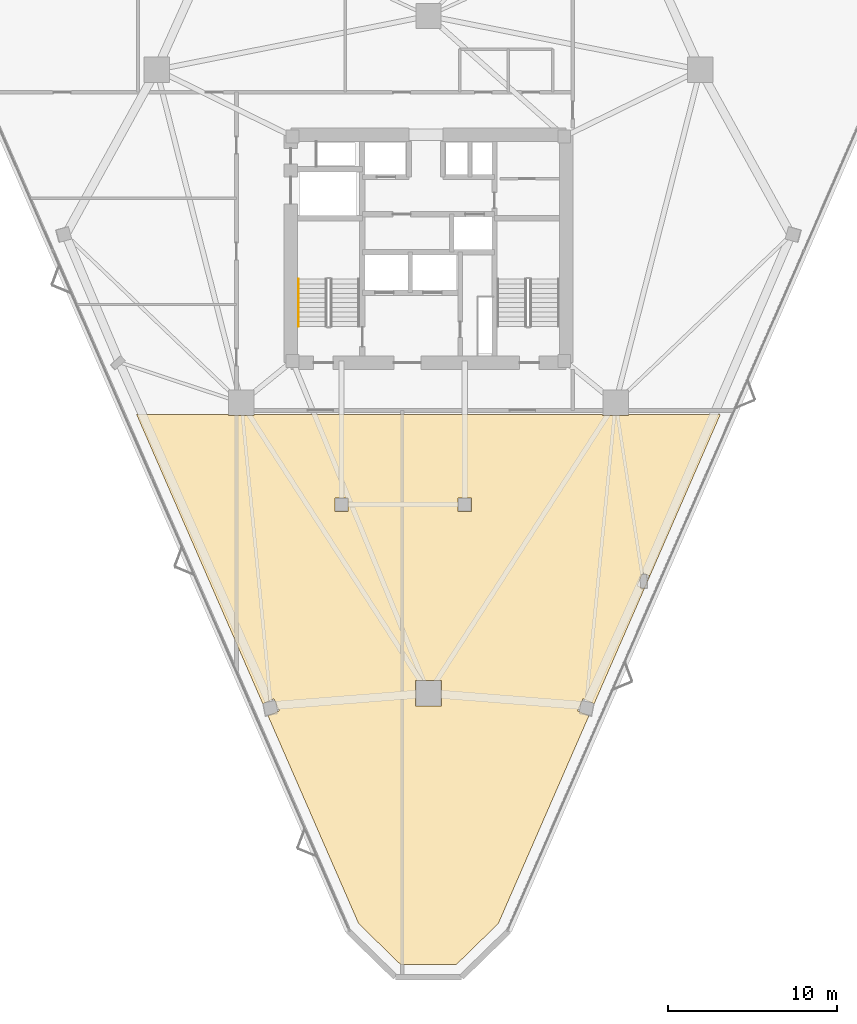
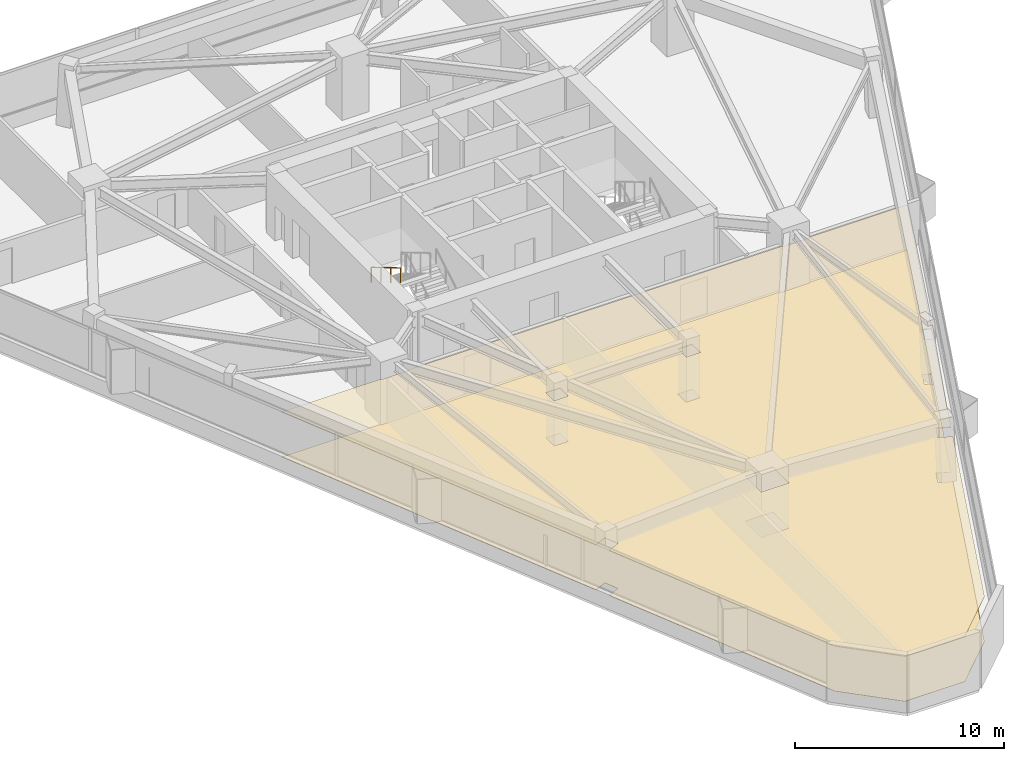
# One storey, part 12 of 13: 2 coverings, 1 railing.
"""IFC4 building model written with IfcOpenShell, lengths in metres."""

import ifcopenshell
import ifcopenshell.guid

model = None  # the IFC model being written
_history = None  # IfcOwnerHistory: only IFC2X3 demands one
_inside = {}  # id of a spatial element -> (the spatial element, [elements in it])
_under = {}  # id of a project, library or spatial element -> (it, [spatial elements below it])
_declared = {}  # id of a project -> (the project, [libraries it declares])
_typed = {}  # id of a type object -> (the type object, [elements of that type])
_made_of = {}  # id of a material, layer set ... -> (it, [elements and type objects made of it])


def new_model(schema):
    """Start an empty IFC model of exactly this schema.

    Asked for "IFC4X3", IfcOpenShell would pick the latest addendum, in which some entities
    have other attributes; the version numbers below select the first issue.
    IFC2X3 requires an IfcOwnerHistory on every rooted entity: one is made here for all.
    """
    global model, _history
    if schema == "IFC4X3":
        model = ifcopenshell.file(schema_version=(4, 3, 0, 0))
    else:
        model = ifcopenshell.file(schema=schema)
    _inside.clear()
    _under.clear()
    _declared.clear()
    _typed.clear()
    _made_of.clear()
    _history = None
    if model.schema == "IFC2X3":
        org = make("IfcOrganization", Name="unknown")
        user = make(
            "IfcPersonAndOrganization",
            ThePerson=make("IfcPerson", FamilyName="unknown"),
            TheOrganization=org,
        )
        app = make(
            "IfcApplication",
            ApplicationDeveloper=org,
            Version="unknown",
            ApplicationFullName="unknown",
            ApplicationIdentifier="unknown",
        )
        _history = make(
            "IfcOwnerHistory",
            OwningUser=user,
            OwningApplication=app,
            ChangeAction="ADDED",
            CreationDate=0,
        )
    return model


def make(cls, **values):
    """One entity of the class cls with the attributes given. An attribute that is None is left unset."""
    return model.create_entity(
        cls, **{name: value for name, value in values.items() if value is not None}
    )


def rooted(cls, **values):
    """An entity with a GlobalId (a new one), such as an element, a storey or a relation."""
    return make(cls, GlobalId=ifcopenshell.guid.new(), OwnerHistory=_history, **values)


def si_unit(unit_type, name, prefix=None):
    """IfcSIUnit, for example si_unit("LENGTHUNIT", "METRE", prefix="MILLI")."""
    return make("IfcSIUnit", UnitType=unit_type, Prefix=prefix, Name=name)


def assignment(units):
    """IfcUnitAssignment: the units of a project."""
    return None if units is None else make("IfcUnitAssignment", Units=units)


def point(xyz):
    """IfcCartesianPoint."""
    return None if xyz is None else make("IfcCartesianPoint", Coordinates=xyz)


def direction(xyz):
    """IfcDirection."""
    return None if xyz is None else make("IfcDirection", DirectionRatios=xyz)


def frame(location, z_axis=None, x_axis=None):
    """IfcAxis2Placement3D, a coordinate frame: its origin and axes. An axis left out is left unset."""
    return make(
        "IfcAxis2Placement3D",
        Location=point(location),
        Axis=direction(z_axis),
        RefDirection=direction(x_axis),
    )


def frame_2d(location, x_axis=None):
    """IfcAxis2Placement2D, a coordinate frame in the plane: its origin and x axis."""
    return make(
        "IfcAxis2Placement2D", Location=point(location), RefDirection=direction(x_axis)
    )


def origin():
    """The frame at (0, 0, 0) with its axes left unset."""
    return frame((0.0, 0.0, 0.0))


def origin_2d():
    """The frame at (0, 0) in the plane with its x axis left unset."""
    return frame_2d((0.0, 0.0))


def place(relative_to, where):
    """IfcLocalPlacement: puts the frame where relative to a parent placement (None: the world)."""
    return make(
        "IfcLocalPlacement", PlacementRelTo=relative_to, RelativePlacement=where
    )


def context(
    kind, dimensions, precision=None, world=None, true_north=None, identifier=None
):
    """IfcGeometricRepresentationContext, for example the 3D "Model" context."""
    return make(
        "IfcGeometricRepresentationContext",
        ContextIdentifier=identifier,
        ContextType=kind,
        CoordinateSpaceDimension=dimensions,
        Precision=precision,
        WorldCoordinateSystem=world,
        TrueNorth=true_north,
    )


def subcontext(parent, identifier, kind, view, scale=None):
    """IfcGeometricRepresentationSubContext, for example "Body" below "Model"."""
    return make(
        "IfcGeometricRepresentationSubContext",
        ContextIdentifier=identifier,
        ContextType=kind,
        ParentContext=parent,
        TargetScale=scale,
        TargetView=view,
    )


def project(units=None, contexts=None):
    """IfcProject with its units and contexts."""
    return rooted(
        "IfcProject",
        Name="project",
        RepresentationContexts=contexts,
        UnitsInContext=assignment(units),
    )


def spatial(cls, under=None, at=None, **own):
    """A site, building, storey or space (cls), placed at a placement, below another one or the project."""
    s = rooted(cls, ObjectPlacement=at, **own)
    if under is not None:
        _under.setdefault(under.id(), (under, []))[1].append(s)
    return s


def polyline(points):
    """IfcPolyline through the points."""
    return make("IfcPolyline", Points=[point(p) for p in points])


def profile(cls, at=None, kind="AREA", **sizes):
    """A parametric profile (cls). Its sizes go by their IFC names, for example OverallWidth=200.0."""
    return make(cls, ProfileType=kind, Position=at, **sizes)


def rectangle(**sizes):
    """IfcRectangleProfileDef."""
    return profile("IfcRectangleProfileDef", **sizes)


def outline(outer, holes=None, kind="AREA"):
    """IfcArbitraryClosedProfileDef: a profile drawn as a closed curve; with holes, ...WithVoids."""
    if holes is None:
        return make("IfcArbitraryClosedProfileDef", ProfileType=kind, OuterCurve=outer)
    return make(
        "IfcArbitraryProfileDefWithVoids",
        ProfileType=kind,
        OuterCurve=outer,
        InnerCurves=holes,
    )


def extrude(swept, where, along, depth):
    """IfcExtrudedAreaSolid: the profile swept, set in the frame where, extruded along a direction by depth."""
    return make(
        "IfcExtrudedAreaSolid",
        SweptArea=swept,
        Position=where,
        ExtrudedDirection=direction(along),
        Depth=depth,
    )


def shape(context_of_items, identifier, shape_type, items):
    """IfcShapeRepresentation: the items that make up one representation, for example the "Body"."""
    return make(
        "IfcShapeRepresentation",
        ContextOfItems=context_of_items,
        RepresentationIdentifier=identifier,
        RepresentationType=shape_type,
        Items=items,
    )


def material(Name=None, Category=None):
    """IfcMaterial."""
    return make("IfcMaterial", Name=Name, Category=Category)


def layer(
    of_material, thickness, ventilated=None, Name=None, Category=None, Priority=None
):
    """IfcMaterialLayer: one layer of a wall or slab, of a material (None: an air gap)."""
    return make(
        "IfcMaterialLayer",
        Material=of_material,
        LayerThickness=thickness,
        IsVentilated=ventilated,
        Name=Name,
        Category=Category,
        Priority=Priority,
    )


def layer_set(layers, Name=None):
    """IfcMaterialLayerSet."""
    return make("IfcMaterialLayerSet", MaterialLayers=layers, LayerSetName=Name)


def made_of(thing, what):
    """Note that an element or type object is made of a material, layer set ...; save() writes the relation."""
    if what is not None:
        _made_of.setdefault(what.id(), (what, []))[1].append(thing)
    return thing


def type_object(cls, material=None, **own):
    """A type object (cls), such as IfcWallType, which elements share."""
    return made_of(rooted(cls, **own), material)


def element(
    cls,
    number,
    at=None,
    inside=None,
    cuts=None,
    type_object=None,
    material=None,
    context=None,
    identifier="Body",
    shape_type=None,
    held_by="IfcProductDefinitionShape",
    body=None,
    shapes=None,
    **own,
):
    """One element of the class cls, such as IfcWall. Its Tag is "e" and its number.

    at: its placement. inside: the storey or other place that contains it. cuts: it is an
    opening in that element (IfcRelVoidsElement). A single representation is given by context,
    identifier, shape_type and body (its items); several are given by shapes. held_by: the class
    of the entity that holds the representations. save() writes the other relations.
    """
    e = rooted(cls, Tag="e%d" % number, ObjectPlacement=at, **own)
    if body is not None:
        shapes = [shape(context, identifier, shape_type, body)]
    if shapes is not None:
        e.Representation = make(held_by, Representations=shapes)
    if inside is not None:
        _inside.setdefault(inside.id(), (inside, []))[1].append(e)
    if cuts is not None:
        rooted(
            "IfcRelVoidsElement", RelatingBuildingElement=cuts, RelatedOpeningElement=e
        )
    if type_object is not None:
        _typed.setdefault(type_object.id(), (type_object, []))[1].append(e)
    return made_of(e, material)


def aggregate(whole, parts):
    """IfcRelAggregates: a whole, such as a stair, and the parts it consists of."""
    return rooted("IfcRelAggregates", RelatingObject=whole, RelatedObjects=parts)


def save(model, path):
    """Write the relations noted so far, then the file.

    IfcRelAggregates (storeys below a building ...), IfcRelContainedInSpatialStructure (elements
    in a storey), IfcRelDefinesByType, IfcRelAssociatesMaterial and IfcRelDeclares: one each for
    every whole, place, type object, material and project.
    """
    for whole, parts in _under.values():
        aggregate(whole, parts)
    for where, things in _inside.values():
        rooted(
            "IfcRelContainedInSpatialStructure",
            RelatedElements=things,
            RelatingStructure=where,
        )
    for kind, things in _typed.values():
        rooted("IfcRelDefinesByType", RelatedObjects=things, RelatingType=kind)
    for what, things in _made_of.values():
        rooted("IfcRelAssociatesMaterial", RelatedObjects=things, RelatingMaterial=what)
    for by, libraries in _declared.values():
        rooted("IfcRelDeclares", RelatingContext=by, RelatedDefinitions=libraries)
    model.write(path)


model = new_model("IFC4")

# Units and contexts
model_context = context("Model", 3, precision=1e-05, world=origin(), true_north=direction((0.0, 1.0)))
body_context = subcontext(model_context, "Body", "Model", "MODEL_VIEW")
ifc_project = project(units=[si_unit("LENGTHUNIT", "METRE"), si_unit("AREAUNIT", "SQUARE_METRE"), si_unit("VOLUMEUNIT", "CUBIC_METRE"), si_unit("PLANEANGLEUNIT", "RADIAN"), si_unit("MASSUNIT", "GRAM", prefix="KILO")], contexts=[model_context])

# Site, building, storey
site_placement = place(None, origin())
site = spatial("IfcSite", under=ifc_project, at=site_placement, CompositionType="ELEMENT")
building_placement = place(site_placement, origin())
building = spatial("IfcBuilding", under=site, at=building_placement, Name="Talyreon Biosciences Tower", CompositionType="ELEMENT")
storey_placement = place(building_placement, frame((0.0, 0.0, 145.449951171875)))
storey = spatial("IfcBuildingStorey", under=building, at=storey_placement, Name="L38", CompositionType="ELEMENT", Elevation=145.449951171875)

# Coverings
ifc_material_1 = material(Name="Cleanable acoustic mineral-fibre ceiling tile", Category="gypsum")
ifc_layer_1 = layer(ifc_material_1, 0.0400390625)
ifc_layer_set_1 = layer_set([ifc_layer_1], Name="Cleanable acoustic mineral-fibre ceiling tile")
covering_type_1 = type_object("IfcCoveringType", Name="AcousticCleanroomCeiling_40", PredefinedType="CEILING", material=ifc_layer_set_1)
covering_1_placement = place(storey_placement, frame((0.0, 0.0, 2.614990234375)))
element("IfcCovering", 1, at=covering_1_placement, inside=storey, type_object=covering_type_1, Name="L38 Acoustic Laboratory Ceiling", PredefinedType="CEILING", context=body_context, shape_type="SweptSolid", body=[
    extrude(outline(polyline([(54.148681640625, 58.169921875), (54.148681640625, 58.115478515625), (55.6787109375, 58.115478515625), (55.6787109375, 58.169921875), (76.3212890625, 58.169921875), (76.3212890625, 58.115478515625), (77.851318359375, 58.115478515625), (77.851318359375, 58.169921875), (83.28076171875, 58.169921875), (75.81640625, 41.051513671875), (75.147705078125, 41.343017578125), (74.835693359375, 40.628173828125), (75.504638671875, 40.33642578125), (70.1376953125, 28.028564453125), (67.655029296875, 25.606201171875), (64.344970703125, 25.606201171875), (61.8623046875, 28.028564453125), (56.495361328125, 40.33642578125), (57.164306640625, 40.628173828125), (56.852294921875, 41.343017578125), (56.18359375, 41.051513671875), (48.71923828125, 58.169921875), (54.148681640625, 58.169921875)]), holes=[polyline([(66.764892578125, 40.90185546875), (66.764892578125, 42.431884765625), (65.235107421875, 42.431884765625), (65.235107421875, 40.90185546875), (66.764892578125, 40.90185546875)]), polyline([(61.239990234375, 52.449951171875), (61.239990234375, 53.22998046875), (60.4599609375, 53.22998046875), (60.4599609375, 52.449951171875), (61.239990234375, 52.449951171875)]), polyline([(79.091796875, 48.624267578125), (78.69775390625, 48.796142578125), (78.365966796875, 48.035400390625), (78.760009765625, 47.863525390625), (79.091796875, 48.624267578125)]), polyline([(67.760009765625, 52.449951171875), (68.5400390625, 52.449951171875), (68.5400390625, 53.22998046875), (67.760009765625, 53.22998046875), (67.760009765625, 52.449951171875)])]), origin(), (0.0, 0.0, 1.0), 0.0400390625),
])
ifc_material_2 = material(Name="Chemical-resistant seamless epoxy resin flooring", Category="plastic")
ifc_layer_2 = layer(ifc_material_2, 0.014892578125)
ifc_layer_set_2 = layer_set([ifc_layer_2], Name="Chemical-resistant seamless epoxy resin flooring")
covering_type_2 = type_object("IfcCoveringType", Name="SeamlessEpoxyLabFlooring_15", PredefinedType="FLOORING", material=ifc_layer_set_2)
covering_2_placement = place(storey_placement, origin())
element("IfcCovering", 2, at=covering_2_placement, inside=storey, type_object=covering_type_2, Name="L38 Laboratory Floor Finish", PredefinedType="FLOORING", context=body_context, shape_type="SweptSolid", body=[
    extrude(outline(polyline([(54.148681640625, 58.169921875), (54.148681640625, 58.115478515625), (55.6787109375, 58.115478515625), (55.6787109375, 58.169921875), (76.3212890625, 58.169921875), (76.3212890625, 58.115478515625), (77.851318359375, 58.115478515625), (77.851318359375, 58.169921875), (83.28076171875, 58.169921875), (75.81640625, 41.051513671875), (75.147705078125, 41.343017578125), (74.835693359375, 40.628173828125), (75.504638671875, 40.33642578125), (70.1376953125, 28.028564453125), (67.655029296875, 25.606201171875), (64.344970703125, 25.606201171875), (61.8623046875, 28.028564453125), (56.495361328125, 40.33642578125), (57.164306640625, 40.628173828125), (56.852294921875, 41.343017578125), (56.18359375, 41.051513671875), (48.71923828125, 58.169921875), (54.148681640625, 58.169921875)]), holes=[polyline([(66.764892578125, 40.90185546875), (66.764892578125, 42.431884765625), (65.235107421875, 42.431884765625), (65.235107421875, 40.90185546875), (66.764892578125, 40.90185546875)]), polyline([(61.239990234375, 52.449951171875), (61.239990234375, 53.22998046875), (60.4599609375, 53.22998046875), (60.4599609375, 52.449951171875), (61.239990234375, 52.449951171875)]), polyline([(79.091796875, 48.624267578125), (78.69775390625, 48.796142578125), (78.365966796875, 48.035400390625), (78.760009765625, 47.863525390625), (79.091796875, 48.624267578125)]), polyline([(67.760009765625, 52.449951171875), (68.5400390625, 52.449951171875), (68.5400390625, 53.22998046875), (67.760009765625, 53.22998046875), (67.760009765625, 52.449951171875)])]), origin(), (0.0, 0.0, 1.0), 0.01513671875),
])

# Railing
ifc_material_3 = material(Name="Brushed stainless-steel tubular handrail", Category="steel")
railing_type = type_object("IfcRailingType", Name="StairWallHandrail_900", PredefinedType="HANDRAIL", material=ifc_material_3)
railing_placement = place(storey_placement, frame((58.300048828125, 66.199951171875, 1.990966796875)))
element("IfcRailing", 3, at=railing_placement, inside=storey, type_object=railing_type, Name="L38 ST-1 stair handrail 2", PredefinedType="HANDRAIL", context=body_context, shape_type="SweptSolid", body=[
    extrude(rectangle(XDim=0.048095703125, YDim=0.048095703125, at=origin_2d()), frame((0.0, 0.0, 0.8759765625), z_axis=(0.0, -0.860306154799, 0.50977771628), x_axis=(1.0, 0.0, 0.0)), (0.0, 0.0, 1.0), 3.254638671875),
    extrude(rectangle(XDim=0.0419921875, YDim=0.0419921875, at=origin_2d()), origin(), (0.0, 0.0, 1.0), 0.851806640625),
    extrude(rectangle(XDim=0.0419921875, YDim=0.0419921875, at=origin_2d()), frame((0.0, -0.933349609375, 0.552978515625)), (0.0, 0.0, 1.0), 0.851806640625),
    extrude(rectangle(XDim=0.0419921875, YDim=0.0419921875, at=origin_2d()), frame((0.0, -1.86669921875, 1.106201171875)), (0.0, 0.0, 1.0), 0.851806640625),
    extrude(rectangle(XDim=0.0419921875, YDim=0.0419921875, at=origin_2d()), frame((0.0, -2.800048828125, 1.6591796875)), (0.0, 0.0, 1.0), 0.851806640625),
])

save(model, "model.ifc")
